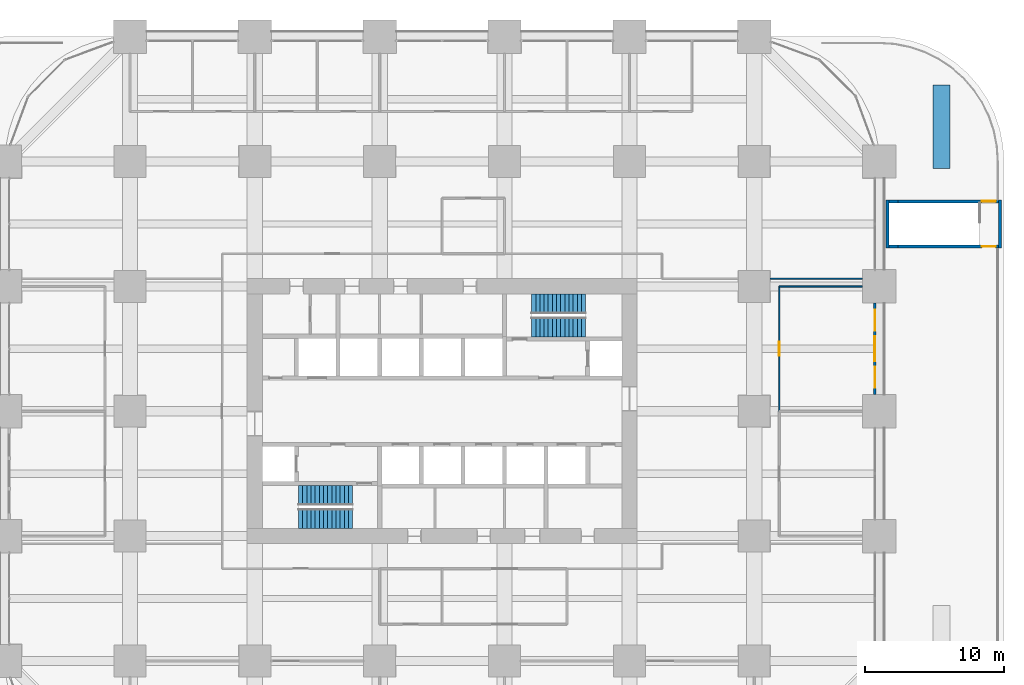
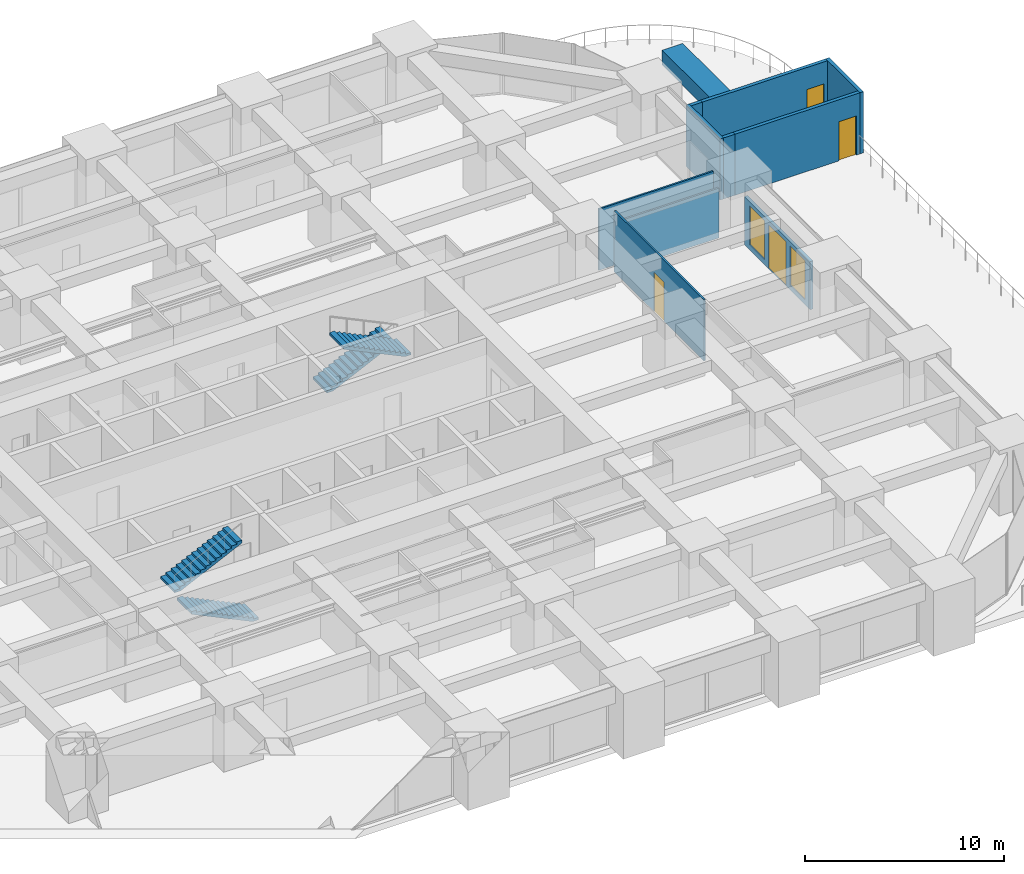
# One storey, part 35 of 38: 11 walls, 4 doors, 4 stair flights, 2 windows, 6 openings, 2 elements without a shape of their own.
"""IFC4 building model written with IfcOpenShell, lengths in metres."""

from ifc_helpers import new_model, si_unit, direction, frame, frame_2d, origin, place, context, subcontext, project, spatial, polyline, rectangle, outline, extrude, material, layer, layer_set, type_object, element, fill, aggregate, save


model = new_model("IFC4")

# Units and contexts
model_context = context("Model", 3, precision=1e-05, world=origin(), true_north=direction((0.0, 1.0)))
body_context = subcontext(model_context, "Body", "Model", "MODEL_VIEW")
ifc_project = project(units=[si_unit("LENGTHUNIT", "METRE"), si_unit("AREAUNIT", "SQUARE_METRE"), si_unit("VOLUMEUNIT", "CUBIC_METRE"), si_unit("PLANEANGLEUNIT", "RADIAN"), si_unit("MASSUNIT", "GRAM", prefix="KILO")], contexts=[model_context])

# Site, building, storey
site_placement = place(None, origin())
site = spatial("IfcSite", under=ifc_project, at=site_placement, CompositionType="ELEMENT")
building_placement = place(site_placement, origin())
building = spatial("IfcBuilding", under=site, at=building_placement, Name="Zorevar Civic Tower", CompositionType="ELEMENT")
storey_placement = place(building_placement, frame((0.0, 0.0, 15.800048828125)))
storey = spatial("IfcBuildingStorey", under=building, at=storey_placement, Name="L03", CompositionType="ELEMENT", Elevation=15.800048828125)

# Walls
ifc_material_1 = material(Name="Concrete blockwork", Category="masonry")
ifc_layer_1 = layer(ifc_material_1, 0.199951171875)
ifc_layer_set_1 = layer_set([ifc_layer_1], Name="Blockwork wall 200")
wall_type_1 = type_object("IfcWallType", Name="Blockwork wall 200", PredefinedType="SOLIDWALL", material=ifc_layer_set_1)
for number, where, z_axis, x_axis, name in (
    (1, (64.35009765625, 42.125, 0.0), (0.0, 0.0, 1.0), (-1.0, 0.0, 0.0), "Escape stair PS2 enclosure L03"),
    (2, (64.35009765625, 38.875, 0.0), (0.0, 0.0, 1.0), (-1.0, 0.0, 0.0), "Escape stair PS2 enclosure L03"),
):
    element("IfcWall", number, at=place(storey_placement, frame(where, z_axis=z_axis, x_axis=x_axis)), inside=storey, type_object=wall_type_1, Name=name, PredefinedType="SOLIDWALL", context=body_context, shape_type="SweptSolid", body=[
        extrude(rectangle(XDim=0.650146484375, YDim=0.199951171875, at=frame_2d((0.3251953125, 0.0))), origin(), (0.0, 0.0, 1.0), 3.75),
    ])
wall_1_placement = place(storey_placement, frame((63.60009765625, 42.22509765625, 0.0), z_axis=(0.0, 0.0, 1.0), x_axis=(0.0, -1.0, 0.0)))
element("IfcWall", 3, at=wall_1_placement, inside=storey, type_object=wall_type_1, Name="Escape stair PS2 enclosure L03", PredefinedType="SOLIDWALL", context=body_context, shape_type="SweptSolid", body=[
    extrude(rectangle(XDim=3.4501953125, YDim=0.199951171875, at=frame_2d((1.72509765625, 0.0))), origin(), (0.0, 0.0, 1.0), 3.75),
])
ifc_material_2 = material(Name="Laminated glass in black aluminium frame", Category="aluminium")
ifc_layer_2 = layer(ifc_material_2, 0.10009765625)
ifc_layer_set_2 = layer_set([ifc_layer_2], Name="Glazed partition 100")
wall_type_2 = type_object("IfcWallType", Name="Glazed partition 100", PredefinedType="PARTITIONING", material=ifc_layer_set_2)
wall_2_placement = place(storey_placement, frame((55.800048828125, 36.0, 0.0), z_axis=(0.0, 0.0, 1.0), x_axis=(1.0, 0.0, 0.0)))
element("IfcWall", 4, at=wall_2_placement, inside=storey, type_object=wall_type_2, Name="Glazed partition 100 L03", PredefinedType="PARTITIONING", context=body_context, shape_type="SweptSolid", body=[
    extrude(rectangle(XDim=6.0, YDim=0.10009765625, at=frame_2d((3.0, 0.0))), origin(), (0.0, 0.0, 1.0), 3.050048828125),
])
wall_3_placement = place(storey_placement, frame((55.14990234375, 36.550048828125, 0.0), z_axis=(0.0, 0.0, 1.0), x_axis=(1.0, 0.0, 0.0)))
element("IfcWall", 5, at=wall_3_placement, inside=storey, type_object=wall_type_2, Name="Glazed partition 100 L03", PredefinedType="PARTITIONING", context=body_context, shape_type="SweptSolid", body=[
    extrude(rectangle(XDim=6.650146484375, YDim=0.10009765625, at=frame_2d((3.3251953125, 0.0))), origin(), (0.0, 0.0, 1.0), 3.75),
])

# Wall, opening, door
wall_4_placement = place(storey_placement, frame((55.800048828125, 27.0, 0.0), z_axis=(0.0, 0.0, 1.0), x_axis=(0.0, 1.0, 0.0)))
wall_4 = element("IfcWall", 6, at=wall_4_placement, inside=storey, type_object=wall_type_2, Name="Glazed partition 100 L03", PredefinedType="PARTITIONING", context=body_context, shape_type="SweptSolid", body=[
    extrude(rectangle(XDim=9.0, YDim=0.10009765625, at=frame_2d((4.5, 0.0))), origin(), (0.0, 0.0, 1.0), 3.75),
])
opening_1_placement = place(wall_4_placement, frame((4.0, 0.0, 0.0)))
opening_1 = element("IfcOpeningElement", 7, at=opening_1_placement, cuts=wall_4, Name="Opening L03.37", PredefinedType="OPENING", context=body_context, shape_type="SweptSolid", body=[
    extrude(rectangle(XDim=1.0, YDim=2.39990234375, at=frame_2d((0.5, 1.199951171875))), frame((0.0, 0.06005859375, 0.0), z_axis=(0.0, -1.0, 0.0), x_axis=(1.0, 0.0, 0.0)), (0.0, 0.0, 1.0), 0.1201171875),
])
ifc_material_3 = material(Name="Timber door set", Category="wood")
door_type_1 = type_object("IfcDoorType", Name="Glazed door GD1 1000x2400", OperationType="SINGLE_SWING_LEFT", PredefinedType="DOOR", material=ifc_material_3)
door_1_placement = place(opening_1_placement, origin())
door_1 = element("IfcDoor", 8, at=door_1_placement, inside=storey, type_object=door_type_1, Name="Door L03 D1", OperationType="SINGLE_SWING_LEFT", OverallHeight=2.39990234375, OverallWidth=1.0, PredefinedType="DOOR", context=body_context, shape_type="SweptSolid", body=[
    extrude(rectangle(XDim=1.0, YDim=2.39990234375, at=frame_2d((0.5, 1.199951171875))), frame((0.0, 0.02001953125, 0.0), z_axis=(0.0, -1.0, 0.0), x_axis=(1.0, 0.0, 0.0)), (0.0, 0.0, 1.0), 0.0400390625),
])
fill(opening_1, door_1)

# Wall
ifc_material_4 = material(Name="Precast concrete planter", Category="concrete")
ifc_layer_3 = layer(ifc_material_4, 1.199951171875)
ifc_layer_set_3 = layer_set([ifc_layer_3], Name="Planter PL1 1200")
wall_type_3 = type_object("IfcWallType", Name="Planter PL1 1200", PredefinedType="USERDEFINED", material=ifc_layer_set_3)
wall_5_placement = place(storey_placement, frame((67.5, 44.5, 0.0), z_axis=(0.0, 0.0, 1.0), x_axis=(0.0, 1.0, 0.0)))
element("IfcWall", 9, at=wall_5_placement, inside=storey, type_object=wall_type_3, Name="Planter L03", ObjectType="PLANTER", PredefinedType="USERDEFINED", context=body_context, shape_type="SweptSolid", body=[
    extrude(rectangle(XDim=6.0, YDim=1.199951171875, at=frame_2d((3.0, 0.0))), origin(), (0.0, 0.0, 1.0), 0.89990234375),
])

# Wall, openings, door, windows
ifc_material_5 = material(Name="Black metal-faced insulated panel", Category="aluminium")
ifc_layer_4 = layer(ifc_material_5, 0.179931640625)
ifc_layer_set_4 = layer_set([ifc_layer_4], Name="Screen wall 180")
wall_type_4 = type_object("IfcWallType", Name="Screen wall 180", PredefinedType="SOLIDWALL", material=ifc_layer_set_4)
wall_6_placement = place(storey_placement, frame((62.699951171875, 28.199951171875, 0.0), z_axis=(0.0, 0.0, 1.0), x_axis=(0.0, 1.0, 0.0)))
wall_6 = element("IfcWall", 10, at=wall_6_placement, inside=storey, type_object=wall_type_4, Name="Screen wall L03 E27", PredefinedType="SOLIDWALL", context=body_context, shape_type="SweptSolid", body=[
    extrude(rectangle(XDim=6.60009765625, YDim=0.179931640625, at=frame_2d((3.300048828125, 0.0))), origin(), (0.0, 0.0, 1.0), 2.949951171875),
])
opening_2_placement = place(wall_6_placement, frame((2.39990234375, 0.0, 0.0)))
opening_2 = element("IfcOpeningElement", 11, at=opening_2_placement, cuts=wall_6, Name="Opening TD1", PredefinedType="OPENING", context=body_context, shape_type="SweptSolid", body=[
    extrude(rectangle(XDim=1.800048828125, YDim=2.699951171875, at=frame_2d((0.89990234375, 1.35009765625))), frame((0.0, 0.099853515625, 0.0), z_axis=(0.0, -1.0, 0.0), x_axis=(1.0, 0.0, 0.0)), (0.0, 0.0, 1.0), 0.199951171875),
])
opening_3_placement = place(wall_6_placement, frame((0.5, 0.0, 0.300048828125)))
opening_3 = element("IfcOpeningElement", 12, at=opening_3_placement, cuts=wall_6, Name="Opening WS1", PredefinedType="OPENING", context=body_context, shape_type="SweptSolid", body=[
    extrude(rectangle(XDim=1.5, YDim=2.39990234375, at=frame_2d((0.75, 1.199951171875))), frame((0.0, 0.099853515625, 0.0), z_axis=(0.0, -1.0, 0.0), x_axis=(1.0, 0.0, 0.0)), (0.0, 0.0, 1.0), 0.199951171875),
])
opening_4_placement = place(wall_6_placement, frame((4.60009765625, 0.0, 0.300048828125)))
opening_4 = element("IfcOpeningElement", 13, at=opening_4_placement, cuts=wall_6, Name="Opening WS1", PredefinedType="OPENING", context=body_context, shape_type="SweptSolid", body=[
    extrude(rectangle(XDim=1.5, YDim=2.39990234375, at=frame_2d((0.75, 1.199951171875))), frame((0.0, 0.099853515625, 0.0), z_axis=(0.0, -1.0, 0.0), x_axis=(1.0, 0.0, 0.0)), (0.0, 0.0, 1.0), 0.199951171875),
])
ifc_material_6 = material(Name="Black aluminium and dark glass", Category="aluminium")
door_type_2 = type_object("IfcDoorType", Name="Terrace door TD1 1800x2700", OperationType="DOUBLE_DOOR_SINGLE_SWING", PredefinedType="DOOR", material=ifc_material_6)
door_2_placement = place(opening_2_placement, origin())
door_2 = element("IfcDoor", 14, at=door_2_placement, inside=storey, type_object=door_type_2, Name="Terrace door L03 E27", OperationType="DOUBLE_DOOR_SINGLE_SWING", OverallHeight=2.699951171875, OverallWidth=1.800048828125, PredefinedType="DOOR", context=body_context, shape_type="SweptSolid", body=[
    extrude(rectangle(XDim=1.800048828125, YDim=2.699951171875, at=frame_2d((0.89990234375, 1.35009765625))), frame((0.0, 0.03515625, 0.0), z_axis=(0.0, -1.0, 0.0), x_axis=(1.0, 0.0, 0.0)), (0.0, 0.0, 1.0), 0.070068359375),
])
fill(opening_2, door_2)
ifc_material_7 = material(Name="Black aluminium and dark glass", Category="aluminium")
window_type = type_object("IfcWindowType", Name="Window WS1 1500x2400", PartitioningType="SINGLE_PANEL", PredefinedType="WINDOW", material=ifc_material_7)
window_1_placement = place(opening_3_placement, origin())
window_1 = element("IfcWindow", 15, at=window_1_placement, inside=storey, type_object=window_type, Name="Screen window L03 E27", OverallHeight=2.39990234375, OverallWidth=1.5, PartitioningType="SINGLE_PANEL", PredefinedType="WINDOW", context=body_context, shape_type="SweptSolid", body=[
    extrude(rectangle(XDim=1.5, YDim=2.39990234375, at=frame_2d((0.75, 1.199951171875))), frame((0.0, 0.030029296875, 0.0), z_axis=(0.0, -1.0, 0.0), x_axis=(1.0, 0.0, 0.0)), (0.0, 0.0, 1.0), 0.06005859375),
])
fill(opening_3, window_1)
window_2_placement = place(opening_4_placement, origin())
window_2 = element("IfcWindow", 16, at=window_2_placement, inside=storey, type_object=window_type, Name="Screen window L03 E27", OverallHeight=2.39990234375, OverallWidth=1.5, PartitioningType="SINGLE_PANEL", PredefinedType="WINDOW", context=body_context, shape_type="SweptSolid", body=[
    extrude(rectangle(XDim=1.5, YDim=2.39990234375, at=frame_2d((0.75, 1.199951171875))), frame((0.0, 0.030029296875, 0.0), z_axis=(0.0, -1.0, 0.0), x_axis=(1.0, 0.0, 0.0)), (0.0, 0.0, 1.0), 0.06005859375),
])
fill(opening_4, window_2)

# Wall, opening, door
ifc_material_8 = material(Name="Concrete C30/37", Category="concrete")
ifc_layer_5 = layer(ifc_material_8, 0.199951171875)
ifc_layer_set_5 = layer_set([ifc_layer_5], Name="Stair enclosure wall 200")
wall_type_5 = type_object("IfcWallType", Name="Stair enclosure wall 200", PredefinedType="SOLIDWALL", material=ifc_layer_set_5)
wall_7_placement = place(storey_placement, frame((71.610107421875, 42.125, 0.0), z_axis=(0.0, 0.0, 1.0), x_axis=(-1.0, 0.0, 0.0)))
wall_7 = element("IfcWall", 17, at=wall_7_placement, inside=storey, type_object=wall_type_5, Name="Escape stair PS2 enclosure L03", PredefinedType="SOLIDWALL", context=body_context, shape_type="SweptSolid", body=[
    extrude(rectangle(XDim=7.260009765625, YDim=0.199951171875, at=frame_2d((3.6298828125, 0.0))), origin(), (0.0, 0.0, 1.0), 3.75),
])
opening_5_placement = place(wall_7_placement, frame((0.2099609375, 0.0, 0.0)))
opening_5 = element("IfcOpeningElement", 18, at=opening_5_placement, cuts=wall_7, Name="Opening L03.82", PredefinedType="OPENING", context=body_context, shape_type="SweptSolid", body=[
    extrude(rectangle(XDim=1.0, YDim=2.39990234375, at=frame_2d((0.5, 1.199951171875))), frame((0.0, 0.10986328125, 0.0), z_axis=(0.0, -1.0, 0.0), x_axis=(1.0, 0.0, 0.0)), (0.0, 0.0, 1.0), 0.219970703125),
])
ifc_material_9 = material(Name="Steel door set", Category="steel")
door_type_3 = type_object("IfcDoorType", Name="Fire door FD1 1000x2400", OperationType="SINGLE_SWING_LEFT", PredefinedType="DOOR", material=ifc_material_9)
door_3_placement = place(opening_5_placement, origin())
door_3 = element("IfcDoor", 19, at=door_3_placement, inside=storey, type_object=door_type_3, Name="Escape stair PS2 door L03", OperationType="SINGLE_SWING_RIGHT", OverallHeight=2.39990234375, OverallWidth=1.0, PredefinedType="DOOR", context=body_context, shape_type="SweptSolid", body=[
    extrude(rectangle(XDim=1.0, YDim=2.39990234375, at=frame_2d((0.5, 1.199951171875))), frame((0.0, 0.030029296875, 0.0), z_axis=(0.0, -1.0, 0.0), x_axis=(1.0, 0.0, 0.0)), (0.0, 0.0, 1.0), 0.06005859375),
])
fill(opening_5, door_3)

wall_8_placement = place(storey_placement, frame((71.610107421875, 38.875, 0.0), z_axis=(0.0, 0.0, 1.0), x_axis=(-1.0, 0.0, 0.0)))
wall_8 = element("IfcWall", 20, at=wall_8_placement, inside=storey, type_object=wall_type_5, Name="Escape stair PS2 enclosure L03", PredefinedType="SOLIDWALL", context=body_context, shape_type="SweptSolid", body=[
    extrude(rectangle(XDim=7.260009765625, YDim=0.199951171875, at=frame_2d((3.6298828125, 0.0))), origin(), (0.0, 0.0, 1.0), 3.75),
])
opening_6_placement = place(wall_8_placement, frame((0.2099609375, 0.0, 0.0)))
opening_6 = element("IfcOpeningElement", 21, at=opening_6_placement, cuts=wall_8, Name="Opening L03.85", PredefinedType="OPENING", context=body_context, shape_type="SweptSolid", body=[
    extrude(rectangle(XDim=1.0, YDim=2.39990234375, at=frame_2d((0.5, 1.199951171875))), frame((0.0, 0.10986328125, 0.0), z_axis=(0.0, -1.0, 0.0), x_axis=(1.0, 0.0, 0.0)), (0.0, 0.0, 1.0), 0.219970703125),
])
door_4_placement = place(opening_6_placement, origin())
door_4 = element("IfcDoor", 22, at=door_4_placement, inside=storey, type_object=door_type_3, Name="Escape stair PS2 door L03 north", OperationType="SINGLE_SWING_LEFT", OverallHeight=2.39990234375, OverallWidth=1.0, PredefinedType="DOOR", context=body_context, shape_type="SweptSolid", body=[
    extrude(rectangle(XDim=1.0, YDim=2.39990234375, at=frame_2d((0.5, 1.199951171875))), frame((0.0, 0.030029296875, 0.0), z_axis=(0.0, -1.0, 0.0), x_axis=(1.0, 0.0, 0.0)), (0.0, 0.0, 1.0), 0.06005859375),
])
fill(opening_6, door_4)

# Wall
wall_9_placement = place(storey_placement, frame((71.7099609375, 42.22509765625, 0.0), z_axis=(0.0, 0.0, 1.0), x_axis=(0.0, -1.0, 0.0)))
element("IfcWall", 23, at=wall_9_placement, inside=storey, type_object=wall_type_5, Name="Escape stair PS2 enclosure L03", PredefinedType="SOLIDWALL", context=body_context, shape_type="SweptSolid", body=[
    extrude(rectangle(XDim=3.4501953125, YDim=0.199951171875, at=frame_2d((1.72509765625, 0.0))), origin(), (0.0, 0.0, 1.0), 3.75),
])

# Stair, stair flights
ifc_material_10 = material(Name="Precast concrete C40/50", Category="concrete")
stair_type = type_object("IfcStairType", Name="Stair ST 28R", PredefinedType="HALF_TURN_STAIR", material=ifc_material_10)
stair_1_placement = place(storey_placement, origin())
stair_1 = element("IfcStair", 24, at=stair_1_placement, inside=storey, type_object=stair_type, Name="Stair ST1 L03", PredefinedType="HALF_TURN_STAIR")
ifc_material_11 = material(Name="Precast concrete C40/50", Category="concrete")
stair_flight_type = type_object("IfcStairFlightType", Name="Stair flight", PredefinedType="STRAIGHT", material=ifc_material_11)
stair_flight_1_placement = place(storey_placement, frame((25.050048828125, 19.262451171875, 0.0), z_axis=(0.0, 0.0, 1.0), x_axis=(-1.0, 0.0, 0.0)))
stair_flight_1 = element("IfcStairFlight", 25, at=stair_flight_1_placement, type_object=stair_flight_type, Name="ST1 flight 1", NumberOfRisers=14, NumberOfTreads=13, PredefinedType="STRAIGHT", RiserHeight=0.142857143, TreadLength=0.3, context=body_context, shape_type="SweptSolid", body=[
    extrude(outline(polyline([(0.0, 0.0), (0.0, 0.142822265625), (0.300048828125, 0.142822265625), (0.300048828125, 0.28564453125), (0.60009765625, 0.28564453125), (0.60009765625, 0.428466796875), (0.89990234375, 0.428466796875), (0.89990234375, 0.571533203125), (1.199951171875, 0.571533203125), (1.199951171875, 0.71435546875), (1.5, 0.71435546875), (1.5, 0.857177734375), (1.800048828125, 0.857177734375), (1.800048828125, 1.0), (2.10009765625, 1.0), (2.10009765625, 1.142822265625), (2.39990234375, 1.142822265625), (2.39990234375, 1.28564453125), (2.699951171875, 1.28564453125), (2.699951171875, 1.428466796875), (3.0, 1.428466796875), (3.0, 1.571533203125), (3.300048828125, 1.571533203125), (3.300048828125, 1.71435546875), (3.60009765625, 1.71435546875), (3.60009765625, 1.857177734375), (3.89990234375, 1.857177734375), (3.89990234375, 2.0), (3.89990234375, 1.691162109375), (0.3486328125, 0.0), (0.0, 0.0)])), frame((0.0, 0.71240234375, 0.0), z_axis=(0.0, -1.0, 0.0), x_axis=(1.0, 0.0, 0.0)), (0.0, 0.0, 1.0), 1.425048828125),
])
stair_flight_2_placement = place(storey_placement, frame((21.14990234375, 20.9375, 2.0), z_axis=(0.0, 0.0, 1.0), x_axis=(1.0, 0.0, 0.0)))
stair_flight_2 = element("IfcStairFlight", 26, at=stair_flight_2_placement, type_object=stair_flight_type, Name="ST1 flight 2", NumberOfRisers=14, NumberOfTreads=13, PredefinedType="STRAIGHT", RiserHeight=0.142857143, TreadLength=0.3, context=body_context, shape_type="SweptSolid", body=[
    extrude(outline(polyline([(0.0, 0.0), (0.0, 0.142822265625), (0.300048828125, 0.142822265625), (0.300048828125, 0.28564453125), (0.60009765625, 0.28564453125), (0.60009765625, 0.428466796875), (0.89990234375, 0.428466796875), (0.89990234375, 0.571533203125), (1.199951171875, 0.571533203125), (1.199951171875, 0.71435546875), (1.5, 0.71435546875), (1.5, 0.857177734375), (1.800048828125, 0.857177734375), (1.800048828125, 1.0), (2.10009765625, 1.0), (2.10009765625, 1.142822265625), (2.39990234375, 1.142822265625), (2.39990234375, 1.28564453125), (2.699951171875, 1.28564453125), (2.699951171875, 1.428466796875), (3.0, 1.428466796875), (3.0, 1.571533203125), (3.300048828125, 1.571533203125), (3.300048828125, 1.71435546875), (3.60009765625, 1.71435546875), (3.60009765625, 1.857177734375), (3.89990234375, 1.857177734375), (3.89990234375, 2.0), (3.89990234375, 1.691162109375), (0.3486328125, 0.0), (0.0, 0.0)])), frame((0.0, 0.71240234375, 0.0), z_axis=(0.0, -1.0, 0.0), x_axis=(1.0, 0.0, 0.0)), (0.0, 0.0, 1.0), 1.425048828125),
])
aggregate(stair_1, [stair_flight_1, stair_flight_2])

stair_2_placement = place(storey_placement, origin())
stair_2 = element("IfcStair", 27, at=stair_2_placement, inside=storey, type_object=stair_type, Name="Stair ST2 L03", PredefinedType="HALF_TURN_STAIR")
stair_flight_3_placement = place(storey_placement, frame((37.949951171875, 34.737548828125, 0.0), z_axis=(0.0, 0.0, 1.0), x_axis=(1.0, 0.0, 0.0)))
stair_flight_3 = element("IfcStairFlight", 28, at=stair_flight_3_placement, type_object=stair_flight_type, Name="ST2 flight 1", NumberOfRisers=14, NumberOfTreads=13, PredefinedType="STRAIGHT", RiserHeight=0.142857143, TreadLength=0.3, context=body_context, shape_type="SweptSolid", body=[
    extrude(outline(polyline([(0.0, 0.0), (0.0, 0.142822265625), (0.300048828125, 0.142822265625), (0.300048828125, 0.28564453125), (0.60009765625, 0.28564453125), (0.60009765625, 0.428466796875), (0.89990234375, 0.428466796875), (0.89990234375, 0.571533203125), (1.199951171875, 0.571533203125), (1.199951171875, 0.71435546875), (1.5, 0.71435546875), (1.5, 0.857177734375), (1.800048828125, 0.857177734375), (1.800048828125, 1.0), (2.10009765625, 1.0), (2.10009765625, 1.142822265625), (2.39990234375, 1.142822265625), (2.39990234375, 1.28564453125), (2.699951171875, 1.28564453125), (2.699951171875, 1.428466796875), (3.0, 1.428466796875), (3.0, 1.571533203125), (3.300048828125, 1.571533203125), (3.300048828125, 1.71435546875), (3.60009765625, 1.71435546875), (3.60009765625, 1.857177734375), (3.89990234375, 1.857177734375), (3.89990234375, 2.0), (3.89990234375, 1.691162109375), (0.3486328125, 0.0), (0.0, 0.0)])), frame((0.0, 0.71240234375, 0.0), z_axis=(0.0, -1.0, 0.0), x_axis=(1.0, 0.0, 0.0)), (0.0, 0.0, 1.0), 1.425048828125),
])
stair_flight_4_placement = place(storey_placement, frame((41.85009765625, 33.0625, 2.0), z_axis=(0.0, 0.0, 1.0), x_axis=(-1.0, 0.0, 0.0)))
stair_flight_4 = element("IfcStairFlight", 29, at=stair_flight_4_placement, type_object=stair_flight_type, Name="ST2 flight 2", NumberOfRisers=14, NumberOfTreads=13, PredefinedType="STRAIGHT", RiserHeight=0.142857143, TreadLength=0.3, context=body_context, shape_type="SweptSolid", body=[
    extrude(outline(polyline([(0.0, 0.0), (0.0, 0.142822265625), (0.300048828125, 0.142822265625), (0.300048828125, 0.28564453125), (0.60009765625, 0.28564453125), (0.60009765625, 0.428466796875), (0.89990234375, 0.428466796875), (0.89990234375, 0.571533203125), (1.199951171875, 0.571533203125), (1.199951171875, 0.71435546875), (1.5, 0.71435546875), (1.5, 0.857177734375), (1.800048828125, 0.857177734375), (1.800048828125, 1.0), (2.10009765625, 1.0), (2.10009765625, 1.142822265625), (2.39990234375, 1.142822265625), (2.39990234375, 1.28564453125), (2.699951171875, 1.28564453125), (2.699951171875, 1.428466796875), (3.0, 1.428466796875), (3.0, 1.571533203125), (3.300048828125, 1.571533203125), (3.300048828125, 1.71435546875), (3.60009765625, 1.71435546875), (3.60009765625, 1.857177734375), (3.89990234375, 1.857177734375), (3.89990234375, 2.0), (3.89990234375, 1.691162109375), (0.3486328125, 0.0), (0.0, 0.0)])), frame((0.0, 0.71240234375, 0.0), z_axis=(0.0, -1.0, 0.0), x_axis=(1.0, 0.0, 0.0)), (0.0, 0.0, 1.0), 1.425048828125),
])
aggregate(stair_2, [stair_flight_3, stair_flight_4])

save(model, "model.ifc")
